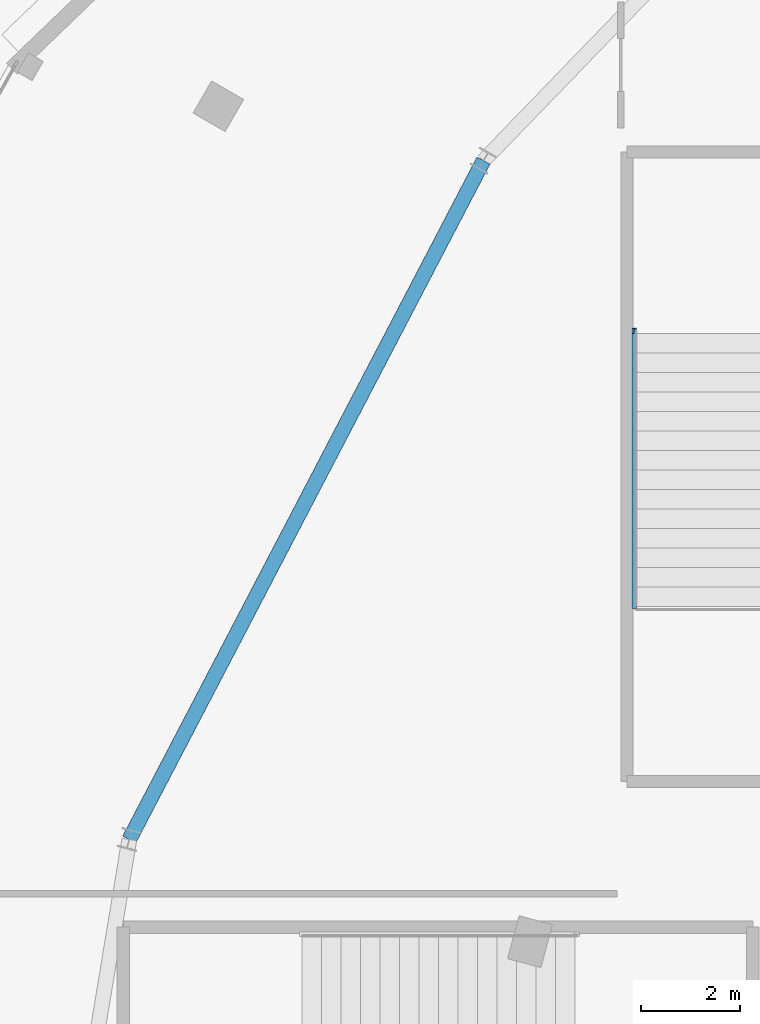
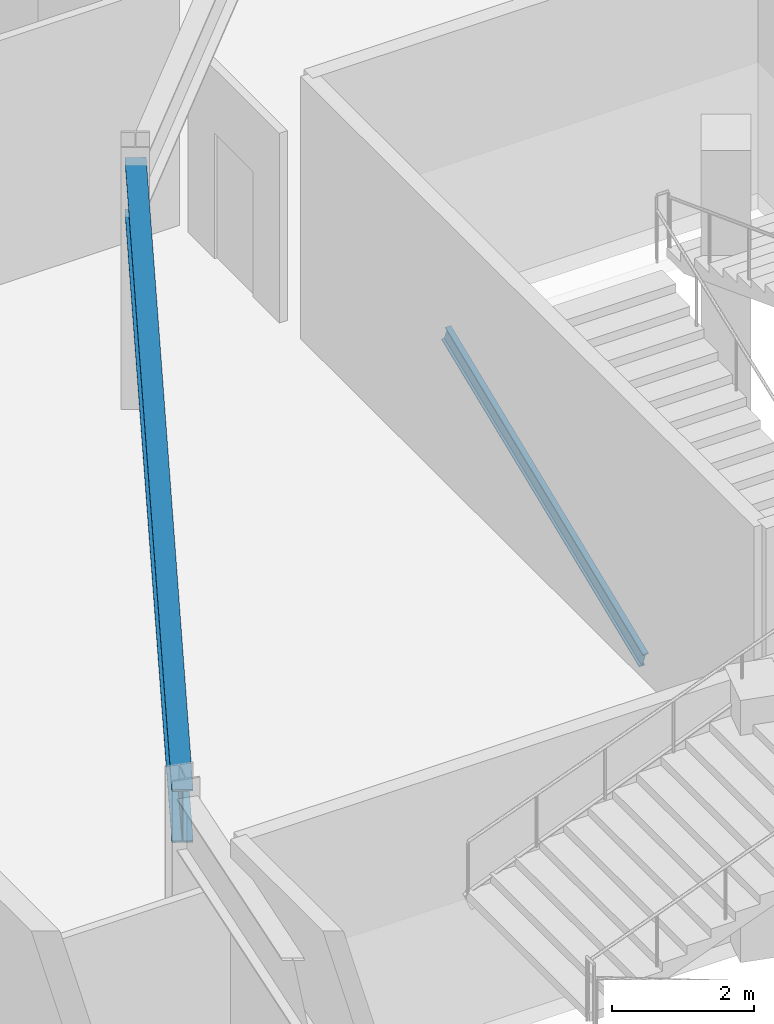
# One storey, part 41 of 123: 1 beam, 1 member.
"""IFC4 building model written with IfcOpenShell, lengths in metres."""

from ifc_helpers import new_model, si_unit, direction, frame, origin, origin_2d, place, context, subcontext, project, spatial, i_section, extrude, material, material_profile, profile_set, type_object, element, save


model = new_model("IFC4")

# Units and contexts
model_context = context("Model", 3, precision=1e-05, world=origin(), true_north=direction((0.0, 1.0)))
body_context = subcontext(model_context, "Body", "Model", "MODEL_VIEW")
ifc_project = project(units=[si_unit("LENGTHUNIT", "METRE"), si_unit("AREAUNIT", "SQUARE_METRE"), si_unit("VOLUMEUNIT", "CUBIC_METRE"), si_unit("PLANEANGLEUNIT", "RADIAN"), si_unit("MASSUNIT", "GRAM", prefix="KILO")], contexts=[model_context])

# Site, building, storey
site_placement = place(None, origin())
site = spatial("IfcSite", under=ifc_project, at=site_placement, CompositionType="ELEMENT")
building_placement = place(site_placement, origin())
building = spatial("IfcBuilding", under=site, at=building_placement, Name="Kalgoora Escarpment Arena", CompositionType="ELEMENT")
storey_placement = place(building_placement, frame((0.0, 0.0, 9.89990234375)))
storey = spatial("IfcBuildingStorey", under=building, at=storey_placement, Name="L02", CompositionType="ELEMENT", Elevation=9.89990234375)

# Beam
ifc_material_1 = material(Name="Structural steel Grade 350 (350 MPa)", Category="steel")
ifc_material_profile_1 = material_profile(ifc_material_1, i_section(OverallWidth=0.300048828125, OverallDepth=0.909912109375, WebThickness=0.011962890625, FlangeThickness=0.028076171875, at=origin_2d()))
ifc_profile_set_1 = profile_set([ifc_material_profile_1], Name="Structural steel Grade 350 (350 MPa)")
beam_type = type_object("IfcBeamType", Name="BM-SPANDREL-900WB218", PredefinedType="SPANDREL", material=ifc_profile_set_1)
beam_placement = place(storey_placement, frame((30.219482421875, 92.5, 3.735107421875), z_axis=(-0.462595600895, -0.886569405085, 0.0), x_axis=(0.886569405085, -0.462595600895, 0.0)))
element("IfcBeam", 1, at=beam_placement, inside=storey, type_object=beam_type, Name="L02 Circumferential concourse girder RCONC2 900WB218", PredefinedType="SPANDREL", context=body_context, shape_type="SweptSolid", body=[
    extrude(i_section(OverallWidth=0.300048828125, OverallDepth=0.909912109375, WebThickness=0.011962890625, FlangeThickness=0.028076171875, at=origin_2d()), origin(), (0.0, 0.0, 1.0), 15.506103515625),
])

# Member
ifc_material_2 = material(Name="Structural steel AS/NZS 3679 (300 MPa)", Category="steel")
ifc_material_profile_2 = material_profile(ifc_material_2, i_section(OverallWidth=0.090087890625, OverallDepth=0.300048828125, WebThickness=0.008056640625, FlangeThickness=0.01611328125, at=origin_2d()))
ifc_profile_set_2 = profile_set([ifc_material_profile_2], Name="Structural steel AS/NZS 3679 (300 MPa)")
member_type = type_object("IfcMemberType", Name="MEM-STRINGER-PFC", PredefinedType="STRINGER", material=ifc_profile_set_2)
member_placement = place(storey_placement, frame((33.27001953125, 83.489990234375, -0.039794921875), z_axis=(0.0, 0.926975796404, 0.375121144273), x_axis=(-1.0, 0.0, 0.0)))
element("IfcMember", 2, at=member_placement, inside=storey, type_object=member_type, Name="ST19 L02 steel stair stringer 1", PredefinedType="STRINGER", context=body_context, shape_type="SweptSolid", body=[
    extrude(i_section(OverallWidth=0.090087890625, OverallDepth=0.300048828125, WebThickness=0.008056640625, FlangeThickness=0.01611328125, at=origin_2d()), origin(), (0.0, 0.0, 1.0), 5.998046875),
])

save(model, "model.ifc")
